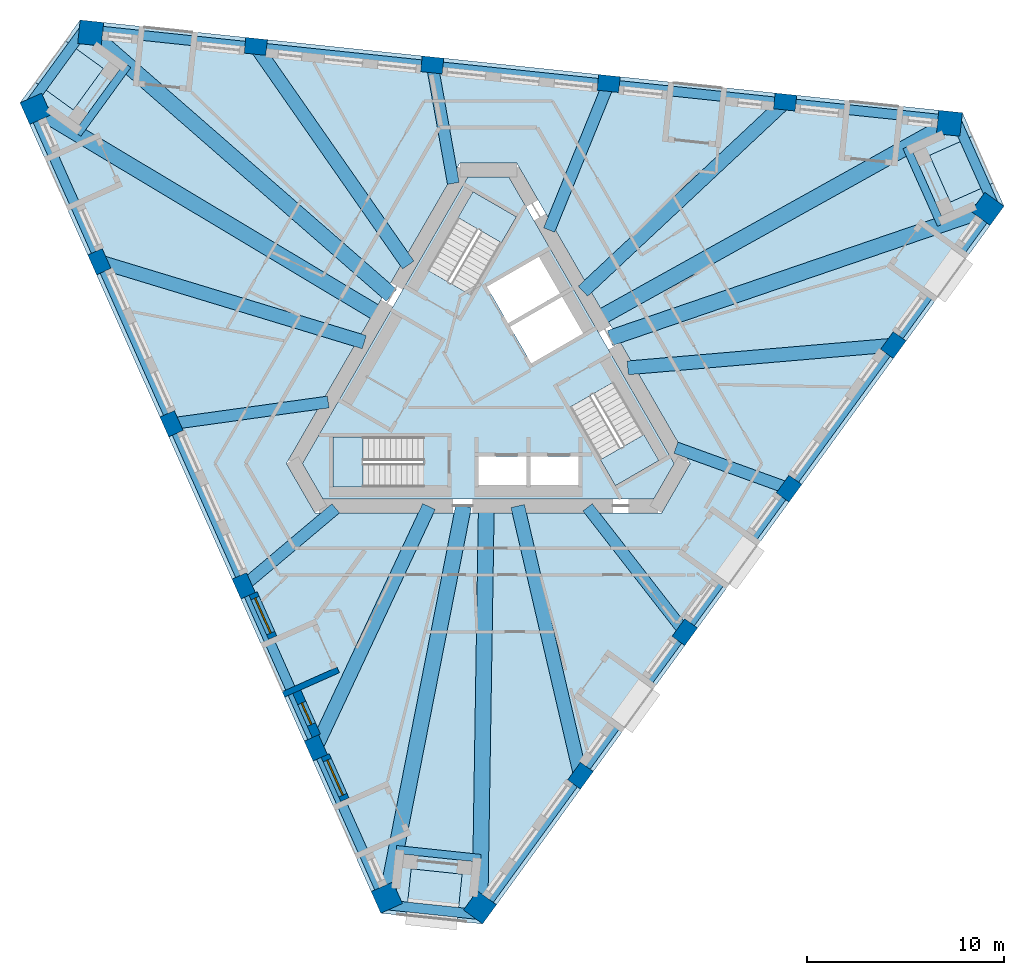
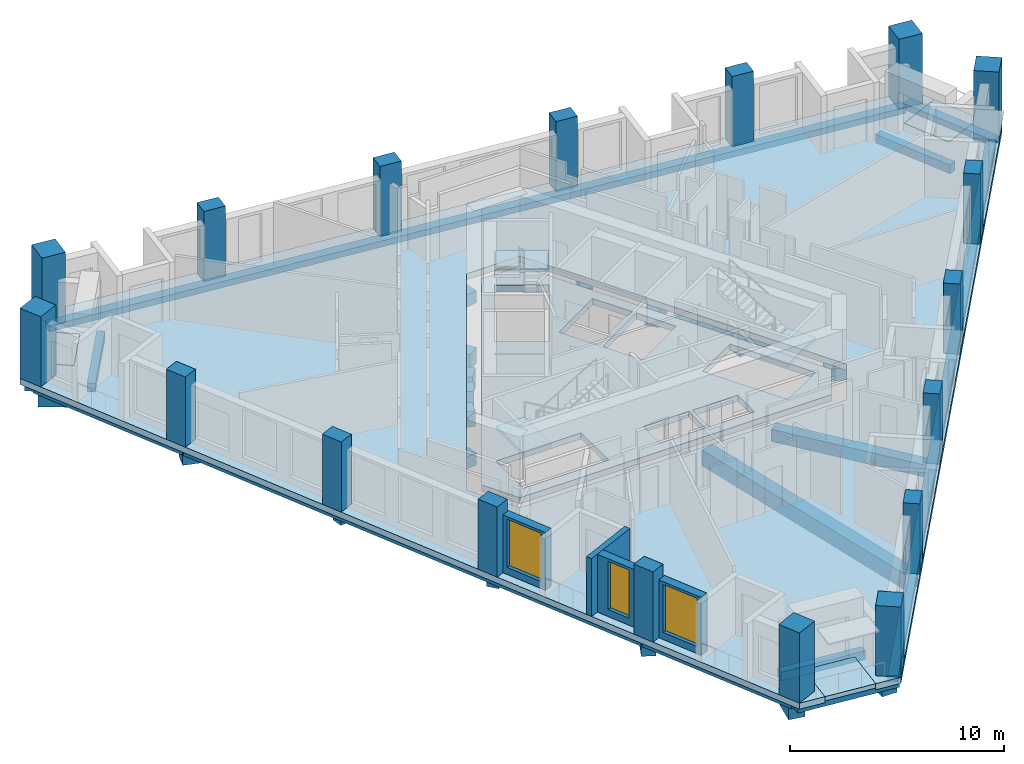
# One storey, part 1 of 11: 27 beams, 18 columns, 8 slabs, 4 walls, 3 windows, 3 openings, 3 elements without a shape of their own.
"""IFC4 building model written with IfcOpenShell, lengths in metres."""

from ifc_helpers import new_model, si_unit, direction, frame, frame_2d, origin, origin_2d, place, context, subcontext, project, spatial, polyline, rectangle, outline, extrude, material, layer, layer_set, material_profile, profile_set, type_object, element, fill, aggregate, save


model = new_model("IFC4")

# Units and contexts
model_context = context("Model", 3, precision=1e-05, world=origin(), true_north=direction((0.0, 1.0)))
body_context = subcontext(model_context, "Body", "Model", "MODEL_VIEW")
ifc_project = project(units=[si_unit("LENGTHUNIT", "METRE"), si_unit("AREAUNIT", "SQUARE_METRE"), si_unit("VOLUMEUNIT", "CUBIC_METRE"), si_unit("PLANEANGLEUNIT", "RADIAN"), si_unit("MASSUNIT", "GRAM", prefix="KILO")], contexts=[model_context])

# Site, building, storey
site_placement = place(None, origin())
site = spatial("IfcSite", under=ifc_project, at=site_placement, CompositionType="ELEMENT")
building_placement = place(site_placement, origin())
building = spatial("IfcBuilding", under=site, at=building_placement, Name="Tramontana Tower", CompositionType="ELEMENT")
storey_placement = place(building_placement, frame((0.0, 0.0, 253.199951171875)))
storey = spatial("IfcBuildingStorey", under=building, at=storey_placement, Name="L59", CompositionType="ELEMENT", Elevation=253.199951171875)

# Columns
ifc_material_1 = material(Name="Concrete 55 MPa", Category="concrete")
ifc_material_profile_1 = material_profile(ifc_material_1, rectangle(XDim=1.199951171875, YDim=1.199951171875, at=origin_2d()), Name="Mega column 1200X1200 55 MPa")
ifc_profile_set_1 = profile_set([ifc_material_profile_1], Name="Concrete 55 MPa")
column_type_1 = type_object("IfcColumnType", Name="Mega column 1200X1200 55 MPa", PredefinedType="COLUMN", material=ifc_profile_set_1)
for number, where, z_axis, x_axis, name in (
    (1, (-22.98291015625, 13.758056640625, 0.0), (0.0, 0.0, 1.0), (0.406736643076, -0.913545457643, 0.0), "Mega column C6K1 L59"),
    (2, (-5.154296875, -26.28564453125, 0.0), (0.0, 0.0, 1.0), (0.406736643076, -0.913545457643, 0.0), "Mega column C6K2 L59"),
    (3, (-0.42333984375, -26.782958984375, 0.0), (0.0, 0.0, 1.0), (0.587785252292, 0.809016994375, 0.0), "Mega column C6K3 L59"),
    (4, (25.341064453125, 8.678955078125, 0.0), (0.0, 0.0, 1.0), (0.587785252292, 0.809016994375, 0.0), "Mega column C6K4 L59"),
    (5, (23.40625, 13.024658203125, 0.0), (0.0, 0.0, 1.0), (-0.994521895368, 0.104528463268, 0.0), "Mega column C6K5 L59"),
    (6, (-20.186767578125, 17.6064453125, 0.0), (0.0, 0.0, 1.0), (-0.994521895368, 0.104528463268, 0.0), "Mega column C6K6 L59"),
):
    element("IfcColumn", number, at=place(storey_placement, frame(where, z_axis=z_axis, x_axis=x_axis)), inside=storey, type_object=column_type_1, Name=name, PredefinedType="COLUMN", context=body_context, shape_type="SweptSolid", body=[
        extrude(rectangle(XDim=1.199951171875, YDim=1.199951171875, at=origin_2d()), origin(), (0.0, 0.0, 1.0), 4.0),
    ])
ifc_material_2 = material(Name="Concrete 55 MPa", Category="concrete")
ifc_material_profile_2 = material_profile(ifc_material_2, rectangle(XDim=1.10009765625, YDim=0.800048828125, at=origin_2d()), Name="Pier column 1100X800 55 MPa")
ifc_profile_set_2 = profile_set([ifc_material_profile_2], Name="Concrete 55 MPa")
column_type_2 = type_object("IfcColumnType", Name="Pier column 1100X800 55 MPa", PredefinedType="COLUMN", material=ifc_profile_set_2)
for number, where, z_axis, x_axis, name in (
    (7, (-19.746337890625, 5.996826171875, 0.0), (0.0, 0.0, 1.0), (0.406736643076, -0.913545457643, 0.0), "Pier column C6F01 L59"),
    (8, (-16.0830078125, -2.231201171875, 0.0), (0.0, 0.0, 1.0), (0.406736643076, -0.913545457643, 0.0), "Pier column C6F02 L59"),
    (9, (-12.419677734375, -10.458984375, 0.0), (0.0, 0.0, 1.0), (0.406736643076, -0.913545457643, 0.0), "Pier column C6F03 L59"),
    (10, (-8.75634765625, -18.68701171875, 0.0), (0.0, 0.0, 1.0), (0.406736643076, -0.913545457643, 0.0), "Pier column C6F04 L59"),
    (11, (4.6796875, -20.099365234375, 0.0), (0.0, 0.0, 1.0), (0.587785252292, 0.809016994375, 0.0), "Pier column C6F05 L59"),
    (12, (9.9736328125, -12.812744140625, 0.0), (0.0, 0.0, 1.0), (0.587785252292, 0.809016994375, 0.0), "Pier column C6F06 L59"),
    (13, (15.267578125, -5.526123046875, 0.0), (0.0, 0.0, 1.0), (0.587785252292, 0.809016994375, 0.0), "Pier column C6F07 L59"),
    (14, (20.5615234375, 1.76025390625, 0.0), (0.0, 0.0, 1.0), (0.587785252292, 0.809016994375, 0.0), "Pier column C6F08 L59"),
    (15, (15.066650390625, 14.102294921875, 0.0), (0.0, 0.0, 1.0), (-0.994521895368, 0.104528463268, 0.0), "Pier column C6F09 L59"),
    (16, (6.109375, 15.043701171875, 0.0), (0.0, 0.0, 1.0), (-0.994521895368, 0.104528463268, 0.0), "Pier column C6F10 L59"),
    (17, (-2.847900390625, 15.9853515625, 0.0), (0.0, 0.0, 1.0), (-0.994521895368, 0.104528463268, 0.0), "Pier column C6F11 L59"),
    (18, (-11.805419921875, 16.9267578125, 0.0), (0.0, 0.0, 1.0), (-0.994521895368, 0.104528463268, 0.0), "Pier column C6F12 L59"),
):
    element("IfcColumn", number, at=place(storey_placement, frame(where, z_axis=z_axis, x_axis=x_axis)), inside=storey, type_object=column_type_2, Name=name, PredefinedType="COLUMN", context=body_context, shape_type="SweptSolid", body=[
        extrude(rectangle(XDim=1.10009765625, YDim=0.800048828125, at=origin_2d()), origin(), (0.0, 0.0, 1.0), 4.0),
    ])

# Beams
ifc_material_3 = material(Name="Concrete 40 MPa", Category="concrete")
ifc_material_profile_3 = material_profile(ifc_material_3, rectangle(XDim=0.5, YDim=0.35009765625, at=origin_2d()), Name="RC EDGE BEAM 500X350 40 MPa")
ifc_profile_set_3 = profile_set([ifc_material_profile_3], Name="Concrete 40 MPa")
beam_type_1 = type_object("IfcBeamType", Name="RC EDGE BEAM 500X350 40 MPa", PredefinedType="SPANDREL", material=ifc_profile_set_3)
for number, where, z_axis, x_axis, name in (
    (19, (-23.119873046875, 13.697021484375, -0.52490234375), (0.406736811644, -0.913545382591, 0.0), (0.913545382591, 0.406736811644, 0.0), "Spandrel beam S0 L59"),
    (20, (-0.302001953125, -26.87109375, -0.52490234375), (0.587782498957, 0.809018994783, 0.0), (-0.809018994783, 0.587782498957, 0.0), "Spandrel beam S1 L59"),
):
    element("IfcBeam", number, at=place(storey_placement, frame(where, z_axis=z_axis, x_axis=x_axis)), inside=storey, type_object=beam_type_1, Name=name, PredefinedType="SPANDREL", context=body_context, shape_type="SweptSolid", body=[
        extrude(rectangle(XDim=0.5, YDim=0.35009765625, at=origin_2d()), origin(), (0.0, 0.0, 1.0), 43.833251953125),
    ])
beam_1_placement = place(storey_placement, frame((23.422119140625, 13.173828125, -0.52490234375), z_axis=(-0.994522012351, 0.104527350249, 0.0), x_axis=(-0.104527350249, -0.994522012351, 0.0)))
element("IfcBeam", 21, at=beam_1_placement, inside=storey, type_object=beam_type_1, Name="Spandrel beam S2 L59", PredefinedType="SPANDREL", context=body_context, shape_type="SweptSolid", body=[
    extrude(rectangle(XDim=0.5, YDim=0.35009765625, at=origin_2d()), origin(), (0.0, 0.0, 1.0), 43.83349609375),
])
for number, where, z_axis, x_axis, name in (
    (22, (-20.356689453125, 18.00146484375, -0.52490234375), (-0.587774926142, -0.809024496662, 0.0), (0.809024496662, -0.587774926142, 0.0), "Spandrel beam K0 L59"),
    (23, (-5.411376953125, -26.630126953125, -0.52490234375), (0.994520631958, -0.104540483116, 0.0), (0.104540483116, 0.994520631958, 0.0), "Spandrel beam K1 L59"),
):
    element("IfcBeam", number, at=place(storey_placement, frame(where, z_axis=z_axis, x_axis=x_axis)), inside=storey, type_object=beam_type_1, Name=name, PredefinedType="SPANDREL", context=body_context, shape_type="SweptSolid", body=[
        extrude(rectangle(XDim=0.5, YDim=0.35009765625, at=origin_2d()), origin(), (0.0, 0.0, 1.0), 5.1962890625),
    ])
beam_2_placement = place(storey_placement, frame((25.76806640625, 8.62890625, -0.52490234375), z_axis=(-0.406713847213, 0.913555606674, 0.0), x_axis=(-0.913555606674, -0.406713847213, 0.0)))
element("IfcBeam", 24, at=beam_2_placement, inside=storey, type_object=beam_type_1, Name="Spandrel beam K2 L59", PredefinedType="SPANDREL", context=body_context, shape_type="SweptSolid", body=[
    extrude(rectangle(XDim=0.5, YDim=0.35009765625, at=origin_2d()), origin(), (0.0, 0.0, 1.0), 5.196044921875),
])
ifc_material_4 = material(Name="Concrete 40 MPa", Category="concrete")
ifc_material_profile_4 = material_profile(ifc_material_4, rectangle(XDim=0.60009765625, YDim=0.699951171875, at=origin_2d()), Name="RC GIRDER 600X700 40 MPa")
ifc_profile_set_4 = profile_set([ifc_material_profile_4], Name="Concrete 40 MPa")
beam_type_2 = type_object("IfcBeamType", Name="RC GIRDER 600X700 40 MPa", PredefinedType="BEAM", material=ifc_profile_set_4)
beam_3_placement = place(storey_placement, frame((-16.0830078125, -2.231201171875, -0.699951171875), z_axis=(0.990511014631, 0.13743336529, 0.0), x_axis=(-0.13743336529, 0.990511014631, 0.0)))
element("IfcBeam", 25, at=beam_3_placement, inside=storey, type_object=beam_type_2, Name="Radial girder C6F02 L59", PredefinedType="BEAM", context=body_context, shape_type="SweptSolid", body=[
    extrude(rectangle(XDim=0.60009765625, YDim=0.699951171875, at=origin_2d()), origin(), (0.0, 0.0, 1.0), 8.032958984375),
])
beam_4_placement = place(storey_placement, frame((-12.419677734375, -10.458984375, -0.699951171875), z_axis=(0.7648987601, 0.644150515638, 0.0), x_axis=(-0.644150515638, 0.7648987601, 0.0)))
element("IfcBeam", 26, at=beam_4_placement, inside=storey, type_object=beam_type_2, Name="Radial girder C6F03 L59", PredefinedType="BEAM", context=body_context, shape_type="SweptSolid", body=[
    extrude(rectangle(XDim=0.60009765625, YDim=0.699951171875, at=origin_2d()), origin(), (0.0, 0.0, 1.0), 6.108154296875),
])
beam_5_placement = place(storey_placement, frame((9.9736328125, -12.812744140625, -0.699951171875), z_axis=(-0.614258279955, 0.789105040857, 0.0), x_axis=(-0.789105040857, -0.614258279955, 0.0)))
element("IfcBeam", 27, at=beam_5_placement, inside=storey, type_object=beam_type_2, Name="Radial girder C6F06 L59", PredefinedType="BEAM", context=body_context, shape_type="SweptSolid", body=[
    extrude(rectangle(XDim=0.60009765625, YDim=0.699951171875, at=origin_2d()), origin(), (0.0, 0.0, 1.0), 8.032958984375),
])
beam_6_placement = place(storey_placement, frame((15.267578125, -5.526123046875, -0.699951171875), z_axis=(-0.940300037895, 0.34034664496, 0.0), x_axis=(-0.34034664496, -0.940300037895, 0.0)))
element("IfcBeam", 28, at=beam_6_placement, inside=storey, type_object=beam_type_2, Name="Radial girder C6F07 L59", PredefinedType="BEAM", context=body_context, shape_type="SweptSolid", body=[
    extrude(rectangle(XDim=0.60009765625, YDim=0.699951171875, at=origin_2d()), origin(), (0.0, 0.0, 1.0), 6.108154296875),
])
beam_7_placement = place(storey_placement, frame((6.109375, 15.043701171875, -0.699951171875), z_axis=(-0.376258836782, -0.92651459122, 0.0), x_axis=(0.92651459122, -0.376258836782, 0.0)))
element("IfcBeam", 29, at=beam_7_placement, inside=storey, type_object=beam_type_2, Name="Radial girder C6F10 L59", PredefinedType="BEAM", context=body_context, shape_type="SweptSolid", body=[
    extrude(rectangle(XDim=0.60009765625, YDim=0.699951171875, at=origin_2d()), origin(), (0.0, 0.0, 1.0), 8.032958984375),
])
beam_8_placement = place(storey_placement, frame((-2.847900390625, 15.9853515625, -0.699951171875), z_axis=(0.175388058889, -0.984499379786, 0.0), x_axis=(0.984499379786, 0.175388058889, 0.0)))
element("IfcBeam", 30, at=beam_8_placement, inside=storey, type_object=beam_type_2, Name="Radial girder C6F11 L59", PredefinedType="BEAM", context=body_context, shape_type="SweptSolid", body=[
    extrude(rectangle(XDim=0.60009765625, YDim=0.699951171875, at=origin_2d()), origin(), (0.0, 0.0, 1.0), 6.108154296875),
])
ifc_material_5 = material(Name="Concrete 40 MPa", Category="concrete")
ifc_material_profile_5 = material_profile(ifc_material_5, rectangle(XDim=0.699951171875, YDim=0.89990234375, at=origin_2d()), Name="RC GIRDER 700X900 40 MPa")
ifc_profile_set_5 = profile_set([ifc_material_profile_5], Name="Concrete 40 MPa")
beam_type_3 = type_object("IfcBeamType", Name="RC GIRDER 700X900 40 MPa", PredefinedType="BEAM", material=ifc_profile_set_5)
beam_9_placement = place(storey_placement, frame((-19.746337890625, 5.996826171875, -0.800048828125), z_axis=(0.956850397844, -0.290580997566, 0.0), x_axis=(0.290580997566, 0.956850397844, 0.0)))
element("IfcBeam", 31, at=beam_9_placement, inside=storey, type_object=beam_type_3, Name="Radial girder C6F01 L59", PredefinedType="BEAM", context=body_context, shape_type="SweptSolid", body=[
    extrude(rectangle(XDim=0.699951171875, YDim=0.89990234375, at=origin_2d()), origin(), (0.0, 0.0, 1.0), 14.05615234375),
])
beam_10_placement = place(storey_placement, frame((-8.75634765625, -18.68701171875, -0.800048828125), z_axis=(0.424308147915, 0.90551786046, 0.0), x_axis=(-0.90551786046, 0.424308147915, 0.0)))
element("IfcBeam", 32, at=beam_10_placement, inside=storey, type_object=beam_type_3, Name="Radial girder C6F04 L59", PredefinedType="BEAM", context=body_context, shape_type="SweptSolid", body=[
    extrude(rectangle(XDim=0.699951171875, YDim=0.89990234375, at=origin_2d()), origin(), (0.0, 0.0, 1.0), 13.532470703125),
])
beam_11_placement = place(storey_placement, frame((4.6796875, -20.099365234375, -0.800048828125), z_axis=(-0.22676563163, 0.973949356133, 0.0), x_axis=(-0.973949356133, -0.22676563163, 0.0)))
element("IfcBeam", 33, at=beam_11_placement, inside=storey, type_object=beam_type_3, Name="Radial girder C6F05 L59", PredefinedType="BEAM", context=body_context, shape_type="SweptSolid", body=[
    extrude(rectangle(XDim=0.699951171875, YDim=0.89990234375, at=origin_2d()), origin(), (0.0, 0.0, 1.0), 14.056396484375),
])
beam_12_placement = place(storey_placement, frame((20.5615234375, 1.760498046875, -0.800048828125), z_axis=(-0.996353926175, -0.085316198904, 0.0), x_axis=(0.085316198904, -0.996353926175, 0.0)))
element("IfcBeam", 34, at=beam_12_placement, inside=storey, type_object=beam_type_3, Name="Radial girder C6F08 L59", PredefinedType="BEAM", context=body_context, shape_type="SweptSolid", body=[
    extrude(rectangle(XDim=0.699951171875, YDim=0.89990234375, at=origin_2d()), origin(), (0.0, 0.0, 1.0), 13.532470703125),
])
beam_13_placement = place(storey_placement, frame((15.066650390625, 14.102294921875, -0.800048828125), z_axis=(-0.730089981105, -0.683351022162, 0.0), x_axis=(0.683351022162, -0.730089981105, 0.0)))
element("IfcBeam", 35, at=beam_13_placement, inside=storey, type_object=beam_type_3, Name="Radial girder C6F09 L59", PredefinedType="BEAM", context=body_context, shape_type="SweptSolid", body=[
    extrude(rectangle(XDim=0.699951171875, YDim=0.89990234375, at=origin_2d()), origin(), (0.0, 0.0, 1.0), 14.056396484375),
])
beam_14_placement = place(storey_placement, frame((-11.805419921875, 16.9267578125, -0.800048828125), z_axis=(0.5720593984, -0.820212194924, 0.0), x_axis=(0.820212194924, 0.5720593984, 0.0)))
element("IfcBeam", 36, at=beam_14_placement, inside=storey, type_object=beam_type_3, Name="Radial girder C6F12 L59", PredefinedType="BEAM", context=body_context, shape_type="SweptSolid", body=[
    extrude(rectangle(XDim=0.699951171875, YDim=0.89990234375, at=origin_2d()), origin(), (0.0, 0.0, 1.0), 13.53271484375),
])
ifc_material_6 = material(Name="Concrete 40 MPa", Category="concrete")
ifc_material_profile_6 = material_profile(ifc_material_6, rectangle(XDim=0.800048828125, YDim=1.10009765625, at=origin_2d()), Name="RC GIRDER 800X1100 40 MPa")
ifc_profile_set_6 = profile_set([ifc_material_profile_6], Name="Concrete 40 MPa")
beam_type_4 = type_object("IfcBeamType", Name="RC GIRDER 800X1100 40 MPa", PredefinedType="BEAM", material=ifc_profile_set_6)
beam_15_placement = place(storey_placement, frame((-22.98291015625, 13.758056640625, -0.89990234375), z_axis=(0.858014507948, -0.513625451229, 0.0), x_axis=(0.513625451229, 0.858014507948, 0.0)))
element("IfcBeam", 37, at=beam_15_placement, inside=storey, type_object=beam_type_4, Name="Radial girder C6K1 L59", PredefinedType="BEAM", context=body_context, shape_type="SweptSolid", body=[
    extrude(rectangle(XDim=0.800048828125, YDim=1.10009765625, at=origin_2d()), origin(), (0.0, 0.0, 1.0), 20.385498046875),
])
beam_16_placement = place(storey_placement, frame((-5.154296875, -26.28564453125, -0.89990234375), z_axis=(0.192429707164, 0.981310760056, 0.0), x_axis=(-0.981310760056, 0.192429707164, 0.0)))
element("IfcBeam", 38, at=beam_16_placement, inside=storey, type_object=beam_type_4, Name="Radial girder C6K2 L59", PredefinedType="BEAM", context=body_context, shape_type="SweptSolid", body=[
    extrude(rectangle(XDim=0.800048828125, YDim=1.10009765625, at=origin_2d()), origin(), (0.0, 0.0, 1.0), 20.2578125),
])
beam_17_placement = place(storey_placement, frame((-0.42333984375, -26.78271484375, -0.89990234375), z_axis=(0.015796706362, 0.99987522425, 0.0), x_axis=(-0.99987522425, 0.015796706362, 0.0)))
element("IfcBeam", 39, at=beam_17_placement, inside=storey, type_object=beam_type_4, Name="Radial girder C6K3 L59", PredefinedType="BEAM", context=body_context, shape_type="SweptSolid", body=[
    extrude(rectangle(XDim=0.800048828125, YDim=1.10009765625, at=origin_2d()), origin(), (0.0, 0.0, 1.0), 20.38525390625),
])
beam_18_placement = place(storey_placement, frame((25.34130859375, 8.67919921875, -0.89990234375), z_axis=(-0.946050478935, -0.324019276136, 0.0), x_axis=(0.324019276136, -0.946050478935, 0.0)))
element("IfcBeam", 40, at=beam_18_placement, inside=storey, type_object=beam_type_4, Name="Radial girder C6K4 L59", PredefinedType="BEAM", context=body_context, shape_type="SweptSolid", body=[
    extrude(rectangle(XDim=0.800048828125, YDim=1.10009765625, at=origin_2d()), origin(), (0.0, 0.0, 1.0), 20.258056640625),
])
beam_19_placement = place(storey_placement, frame((23.40625, 13.024658203125, -0.89990234375), z_axis=(-0.873818675449, -0.486251912528, 0.0), x_axis=(0.486251912528, -0.873818675449, 0.0)))
element("IfcBeam", 41, at=beam_19_placement, inside=storey, type_object=beam_type_4, Name="Radial girder C6K5 L59", PredefinedType="BEAM", context=body_context, shape_type="SweptSolid", body=[
    extrude(rectangle(XDim=0.800048828125, YDim=1.10009765625, at=origin_2d()), origin(), (0.0, 0.0, 1.0), 20.38525390625),
])
beam_20_placement = place(storey_placement, frame((-20.18701171875, 17.606689453125, -0.89990234375), z_axis=(0.753629135933, -0.657299874846, 0.0), x_axis=(0.657299874846, 0.753629135933, 0.0)))
element("IfcBeam", 42, at=beam_20_placement, inside=storey, type_object=beam_type_4, Name="Radial girder C6K6 L59", PredefinedType="BEAM", context=body_context, shape_type="SweptSolid", body=[
    extrude(rectangle(XDim=0.800048828125, YDim=1.10009765625, at=origin_2d()), origin(), (0.0, 0.0, 1.0), 20.2578125),
])
ifc_material_7 = material(Name="Concrete 40 MPa", Category="concrete")
ifc_material_profile_7 = material_profile(ifc_material_7, rectangle(XDim=0.39990234375, YDim=0.5, at=origin_2d()), Name="RC TRIM BEAM 400X500 40 MPa")
ifc_profile_set_7 = profile_set([ifc_material_profile_7], Name="Concrete 40 MPa")
beam_type_5 = type_object("IfcBeamType", Name="RC TRIM BEAM 400X500 40 MPa", PredefinedType="JOIST", material=ifc_profile_set_7)
for number, where, z_axis, x_axis, name in (
    (43, (-18.310302734375, 15.9697265625, -0.599853515625), (-0.587744325324, -0.809046727976, 0.0), (0.809046727976, -0.587744325324, 0.0), "Trimmer beam K0 L59"),
    (44, (-4.675048828125, -23.841796875, -0.599853515625), (0.994517847883, -0.104566965344, 0.0), (0.104566965344, 0.994517847883, 0.0), "Trimmer beam K1 L59"),
    (45, (22.9853515625, 7.872314453125, -0.599853515625), (-0.406773611719, 0.913528997246, 0.0), (-0.913528997246, -0.406773611719, 0.0), "Trimmer beam K2 L59"),
):
    element("IfcBeam", number, at=place(storey_placement, frame(where, z_axis=z_axis, x_axis=x_axis)), inside=storey, type_object=beam_type_5, Name=name, PredefinedType="JOIST", context=body_context, shape_type="SweptSolid", body=[
        extrude(rectangle(XDim=0.39990234375, YDim=0.5, at=origin_2d()), origin(), (0.0, 0.0, 1.0), 4.314697265625),
    ])

# Slabs
ifc_material_8 = material(Name="Precast concrete 50 MPa", Category="concrete")
ifc_layer_1 = layer(ifc_material_8, 0.25)
ifc_layer_set_1 = layer_set([ifc_layer_1], Name="LT1 Loggia floor tray 250")
slab_type_1 = type_object("IfcSlabType", Name="LT1 Loggia floor tray 250", PredefinedType="FLOOR", material=ifc_layer_set_1)
slab_1_placement = place(storey_placement, frame((0.0, 0.0, -0.25)))
element("IfcSlab", 46, at=slab_1_placement, inside=storey, type_object=slab_type_1, Name="Corner loggia floor L59 K60", PredefinedType="FLOOR", context=body_context, shape_type="SweptSolid", body=[
    extrude(outline(polyline([(-21.48388671875, 17.2158203125), (-19.542236328125, 15.80517578125), (-21.070556640625, 13.70166015625), (-23.01220703125, 15.1123046875), (-21.48388671875, 17.2158203125)])), origin(), (0.0, 0.0, 1.0), 0.25),
])
slab_2_placement = place(storey_placement, frame((0.0, 0.0, -0.25)))
element("IfcSlab", 47, at=slab_2_placement, inside=storey, type_object=slab_type_1, Name="Corner loggia floor L59 K61", PredefinedType="FLOOR", context=body_context, shape_type="SweptSolid", body=[
    extrude(outline(polyline([(-4.16748046875, -27.21337890625), (-3.91650390625, -24.82666015625), (-1.330810546875, -25.098388671875), (-1.58154296875, -27.4853515625), (-4.16748046875, -27.21337890625)])), origin(), (0.0, 0.0, 1.0), 0.25),
])
slab_3_placement = place(storey_placement, frame((0.0, 0.0, -0.25)))
element("IfcSlab", 48, at=slab_3_placement, inside=storey, type_object=slab_type_1, Name="Corner loggia floor L59 K62", PredefinedType="FLOOR", context=body_context, shape_type="SweptSolid", body=[
    extrude(outline(polyline([(25.6513671875, 9.99755859375), (23.458740234375, 9.021484375), (22.401123046875, 11.396728515625), (24.59375, 12.372802734375), (25.6513671875, 9.99755859375)])), origin(), (0.0, 0.0, 1.0), 0.25),
])
ifc_material_9 = material(Name="Concrete 40 MPa", Category="concrete")
ifc_layer_2 = layer(ifc_material_9, 0.35009765625)
ifc_layer_set_2 = layer_set([ifc_layer_2], Name="PT FLAT SLAB 350 40 MPa")
slab_type_2 = type_object("IfcSlabType", Name="PT FLAT SLAB 350 40 MPa", PredefinedType="FLOOR", material=ifc_layer_set_2)
slab_4_placement = place(storey_placement, frame((0.0, 0.0, -0.349853515625)))
element("IfcSlab", 49, at=slab_4_placement, inside=storey, type_object=slab_type_2, Name="Floor slab L59", PredefinedType="FLOOR", context=body_context, shape_type="SweptSolid", body=[
    extrude(outline(polyline([(24.59375, 12.372802734375), (22.401123046875, 11.396728515625), (23.458740234375, 9.021484375), (25.6513671875, 9.99755859375), (26.17919921875, 8.811767578125), (-0.290771484375, -27.620849609375), (-1.581787109375, -27.485107421875), (-1.330810546875, -25.098388671875), (-3.91650390625, -24.82666015625), (-4.16748046875, -27.21337890625), (-5.45849609375, -27.077880859375), (-23.775146484375, 14.062255859375), (-23.01220703125, 15.1123046875), (-21.0703125, 13.70166015625), (-19.542236328125, 15.80517578125), (-21.48388671875, 17.2158203125), (-20.720947265625, 18.26611328125), (24.06591796875, 13.55859375), (24.59375, 12.372802734375)]), holes=[polyline([(-10.248046875, -4.25), (-8.8046875, -6.75), (8.8046875, -6.75), (10.248046875, -4.25), (1.443359375, 11.0), (-1.443359375, 11.0), (-10.248046875, -4.25)])]), origin(), (0.0, 0.0, 1.0), 0.349853515625),
])
slab_5_placement = place(storey_placement, frame((0.0, 0.0, -0.349853515625)))
element("IfcSlab", 50, at=slab_5_placement, inside=storey, type_object=slab_type_2, Name="Core floor slab L59", PredefinedType="FLOOR", context=body_context, shape_type="SweptSolid", body=[
    extrude(outline(polyline([(9.439697265625, -4.25), (8.400390625, -6.050048828125), (-8.400390625, -6.050048828125), (-9.439697265625, -4.25), (-1.039306640625, 10.300048828125), (1.039306640625, 10.300048828125), (9.439697265625, -4.25)]), holes=[polyline([(8.659912109375, -4.099365234375), (6.35986328125, -0.115478515625), (4.151611328125, -1.390625), (6.451416015625, -5.374267578125), (8.659912109375, -4.099365234375)]), polyline([(3.829833984375, 4.2666015625), (1.101806640625, 2.69140625), (2.177001953125, 0.82958984375), (4.90478515625, 2.404541015625), (3.829833984375, 4.2666015625)]), polyline([(4.590087890625, -3.89990234375), (2.139892578125, -3.89990234375), (2.139892578125, -5.449951171875), (4.590087890625, -5.449951171875), (4.590087890625, -3.89990234375)]), polyline([(2.65478515625, 6.3017578125), (-0.072998046875, 4.726806640625), (1.001953125, 2.86474609375), (3.729736328125, 4.439697265625), (2.65478515625, 6.3017578125)]), polyline([(1.93994140625, -5.449951171875), (1.93994140625, -3.89990234375), (-0.510009765625, -3.89990234375), (-0.510009765625, -5.449951171875), (1.93994140625, -5.449951171875)]), polyline([(-0.77978515625, 9.54931640625), (-3.079833984375, 5.565673828125), (-0.87158203125, 4.29052734375), (1.428466796875, 8.2744140625), (-0.77978515625, 9.54931640625)]), polyline([(-7.8798828125, -5.449951171875), (-3.280029296875, -5.449951171875), (-3.280029296875, -2.89990234375), (-7.8798828125, -2.89990234375), (-7.8798828125, -5.449951171875)])]), origin(), (0.0, 0.0, 1.0), 0.349853515625),
])

# Stair, slab
ifc_material_10 = material(Name="Concrete 40 MPa", Category="concrete")
stair_type = type_object("IfcStairType", Name="EXIT STAIR 24 RISERS", PredefinedType="HALF_TURN_STAIR", material=ifc_material_10)
stair_1_placement = place(storey_placement, origin())
stair_1 = element("IfcStair", 51, at=stair_1_placement, inside=storey, type_object=stair_type, Name="L59 Exit stair ST1", PredefinedType="HALF_TURN_STAIR")
ifc_material_11 = material(Name="Concrete 40 MPa", Category="concrete")
ifc_layer_3 = layer(ifc_material_11, 0.199951171875)
ifc_layer_set_3 = layer_set([ifc_layer_3], Name="STAIR LANDING 200")
slab_type_3 = type_object("IfcSlabType", Name="STAIR LANDING 200", PredefinedType="LANDING", material=ifc_layer_set_3)
slab_6_placement = place(storey_placement, frame((0.0, 0.0, 1.800048828125)))
slab_6 = element("IfcSlab", 52, at=slab_6_placement, type_object=slab_type_3, Name="ST1 landing 1", PredefinedType="LANDING", context=body_context, shape_type="SweptSolid", body=[
    extrude(outline(polyline([(0.66845703125, 6.9580078125), (1.428466796875, 8.274169921875), (-0.77978515625, 9.54931640625), (-1.539794921875, 8.23291015625), (0.66845703125, 6.9580078125)])), origin(), (0.0, 0.0, 1.0), 0.199951171875),
])
aggregate(stair_1, [slab_6])

stair_2_placement = place(storey_placement, origin())
stair_2 = element("IfcStair", 53, at=stair_2_placement, inside=storey, type_object=stair_type, Name="L59 Exit stair ST2", PredefinedType="HALF_TURN_STAIR")
slab_7_placement = place(storey_placement, frame((0.0, 0.0, 1.800048828125)))
slab_7 = element("IfcSlab", 54, at=slab_7_placement, type_object=slab_type_3, Name="ST2 landing 1", PredefinedType="LANDING", context=body_context, shape_type="SweptSolid", body=[
    extrude(outline(polyline([(-6.360107421875, -2.89990234375), (-7.8798828125, -2.89990234375), (-7.8798828125, -5.449951171875), (-6.360107421875, -5.449951171875), (-6.360107421875, -2.89990234375)])), origin(), (0.0, 0.0, 1.0), 0.199951171875),
])
aggregate(stair_2, [slab_7])

stair_3_placement = place(storey_placement, origin())
stair_3 = element("IfcStair", 55, at=stair_3_placement, inside=storey, type_object=stair_type, Name="L59 Exit stair ST3", PredefinedType="HALF_TURN_STAIR")
slab_8_placement = place(storey_placement, frame((0.0, 0.0, 1.800048828125)))
slab_8 = element("IfcSlab", 56, at=slab_8_placement, type_object=slab_type_3, Name="ST3 landing 1", PredefinedType="LANDING", context=body_context, shape_type="SweptSolid", body=[
    extrude(outline(polyline([(5.69140625, -4.057861328125), (6.451416015625, -5.374267578125), (8.659912109375, -4.099365234375), (7.89990234375, -2.782958984375), (5.69140625, -4.057861328125)])), origin(), (0.0, 0.0, 1.0), 0.199951171875),
])
aggregate(stair_3, [slab_8])

# Wall, opening, window
ifc_material_12 = material(Name="Precast concrete 60 MPa", Category="concrete")
ifc_layer_4 = layer(ifc_material_12, 0.449951171875)
ifc_layer_set_4 = layer_set([ifc_layer_4], Name="Precast concrete 60 MPa, 450 mm")
wall_type_1 = type_object("IfcWallType", Name="EW1 Stone-faced precast wall 450", PredefinedType="SOLIDWALL", material=ifc_layer_set_4)
wall_1_placement = place(storey_placement, frame((-11.94482421875, -10.849609375, 0.0), z_axis=(0.0, 0.0, 1.0), x_axis=(0.406784963852, -0.913523942316, 0.0)))
wall_1 = element("IfcWall", 57, at=wall_1_placement, inside=storey, type_object=wall_type_1, Name="External wall L59 face 0 bay 4", PredefinedType="SOLIDWALL", context=body_context, shape_type="SweptSolid", body=[
    extrude(rectangle(XDim=2.452392578125, YDim=0.449951171875, at=frame_2d((1.22607421875, 0.0))), origin(), (0.0, 0.0, 1.0), 3.300048828125),
])
opening_1_placement = place(wall_1_placement, frame((0.251220703125, 0.0, 0.39990234375)))
opening_1 = element("IfcOpeningElement", 58, at=opening_1_placement, cuts=wall_1, Name="Opening M3", PredefinedType="OPENING", context=body_context, shape_type="SweptSolid", body=[
    extrude(rectangle(XDim=1.949951171875, YDim=2.75, at=frame_2d((0.97509765625, 1.375))), frame((0.0, 0.23486328125, 0.0), z_axis=(0.0, -1.0, 0.0), x_axis=(1.0, 0.0, 0.0)), (0.0, 0.0, 1.0), 0.469970703125),
])
ifc_material_13 = material(Name="Aluminum frame, double glazing unit", Category="aluminium")
window_type_1 = type_object("IfcWindowType", Name="M3 Window 1.95 x 2.75", PartitioningType="SINGLE_PANEL", PredefinedType="WINDOW", material=ifc_material_13)
window_1_placement = place(opening_1_placement, origin())
window_1 = element("IfcWindow", 59, at=window_1_placement, inside=storey, type_object=window_type_1, Name="Window M3 L59 face 0 module 10", OverallHeight=2.75, OverallWidth=1.949951171875, PartitioningType="SINGLE_PANEL", PredefinedType="WINDOW", context=body_context, shape_type="SweptSolid", body=[
    extrude(rectangle(XDim=1.949951171875, YDim=2.75, at=frame_2d((0.97509765625, 1.375))), frame((0.0, 0.030029296875, 0.0), z_axis=(0.0, -1.0, 0.0), x_axis=(1.0, 0.0, 0.0)), (0.0, 0.0, 1.0), 0.06005859375),
])
fill(opening_1, window_1)

wall_2_placement = place(storey_placement, frame((-9.72607421875, -15.83251953125, 0.0), z_axis=(0.0, 0.0, 1.0), x_axis=(0.406701876909, -0.913560935745, 0.0)))
wall_2 = element("IfcWall", 60, at=wall_2_placement, inside=storey, type_object=wall_type_1, Name="External wall L59 face 0 bay 4", PredefinedType="SOLIDWALL", context=body_context, shape_type="SweptSolid", body=[
    extrude(rectangle(XDim=2.4521484375, YDim=0.449951171875, at=frame_2d((1.22607421875, 0.0))), origin(), (0.0, 0.0, 1.0), 3.300048828125),
])
opening_2_placement = place(wall_2_placement, frame((0.626220703125, 0.0, 0.39990234375)))
opening_2 = element("IfcOpeningElement", 61, at=opening_2_placement, cuts=wall_2, Name="Opening N3", PredefinedType="OPENING", context=body_context, shape_type="SweptSolid", body=[
    extrude(rectangle(XDim=1.199951171875, YDim=2.75, at=frame_2d((0.60009765625, 1.375))), frame((0.0, 0.23486328125, 0.0), z_axis=(0.0, -1.0, 0.0), x_axis=(1.0, 0.0, 0.0)), (0.0, 0.0, 1.0), 0.469970703125),
])
ifc_material_14 = material(Name="Aluminum frame, double glazing unit", Category="aluminium")
window_type_2 = type_object("IfcWindowType", Name="N3 Window 1.2 x 2.75", PartitioningType="SINGLE_PANEL", PredefinedType="WINDOW", material=ifc_material_14)
window_2_placement = place(opening_2_placement, origin())
window_2 = element("IfcWindow", 62, at=window_2_placement, inside=storey, type_object=window_type_2, Name="Window N3 L59 face 0 module 12", OverallHeight=2.75, OverallWidth=1.199951171875, PartitioningType="SINGLE_PANEL", PredefinedType="WINDOW", context=body_context, shape_type="SweptSolid", body=[
    extrude(rectangle(XDim=1.199951171875, YDim=2.75, at=frame_2d((0.60009765625, 1.375))), frame((0.0, 0.030029296875, 0.0), z_axis=(0.0, -1.0, 0.0), x_axis=(1.0, 0.0, 0.0)), (0.0, 0.0, 1.0), 0.06005859375),
])
fill(opening_2, window_2)

wall_3_placement = place(storey_placement, frame((-8.28125, -19.07763671875, 0.0), z_axis=(0.0, 0.0, 1.0), x_axis=(0.406701876909, -0.913560935745, 0.0)))
wall_3 = element("IfcWall", 63, at=wall_3_placement, inside=storey, type_object=wall_type_1, Name="External wall L59 face 0 bay 5", PredefinedType="SOLIDWALL", context=body_context, shape_type="SweptSolid", body=[
    extrude(rectangle(XDim=2.4521484375, YDim=0.449951171875, at=frame_2d((1.22607421875, 0.0))), origin(), (0.0, 0.0, 1.0), 3.300048828125),
])
opening_3_placement = place(wall_3_placement, frame((0.251220703125, 0.0, 0.39990234375)))
opening_3 = element("IfcOpeningElement", 64, at=opening_3_placement, cuts=wall_3, Name="Opening M3", PredefinedType="OPENING", context=body_context, shape_type="SweptSolid", body=[
    extrude(rectangle(XDim=1.949951171875, YDim=2.75, at=frame_2d((0.97509765625, 1.375))), frame((0.0, 0.23486328125, 0.0), z_axis=(0.0, -1.0, 0.0), x_axis=(1.0, 0.0, 0.0)), (0.0, 0.0, 1.0), 0.469970703125),
])
window_3_placement = place(opening_3_placement, origin())
window_3 = element("IfcWindow", 65, at=window_3_placement, inside=storey, type_object=window_type_1, Name="Window M3 L59 face 0 module 13", OverallHeight=2.75, OverallWidth=1.949951171875, PartitioningType="SINGLE_PANEL", PredefinedType="WINDOW", context=body_context, shape_type="SweptSolid", body=[
    extrude(rectangle(XDim=1.949951171875, YDim=2.75, at=frame_2d((0.97509765625, 1.375))), frame((0.0, 0.030029296875, 0.0), z_axis=(0.0, -1.0, 0.0), x_axis=(1.0, 0.0, 0.0)), (0.0, 0.0, 1.0), 0.06005859375),
])
fill(opening_3, window_3)

# Wall
ifc_material_15 = material(Name="Precast concrete 60 MPa", Category="concrete")
ifc_layer_5 = layer(ifc_material_15, 0.300048828125)
ifc_layer_set_5 = layer_set([ifc_layer_5], Name="LW1 Stone-faced loggia wall 300")
wall_type_2 = type_object("IfcWallType", Name="LW1 Stone-faced loggia wall 300", PredefinedType="SOLIDWALL", material=ifc_layer_set_5)
wall_4_placement = place(storey_placement, frame((-10.40380859375, -15.969970703125, 0.0), z_axis=(0.0, 0.0, 1.0), x_axis=(0.913557205168, 0.406710256677, 0.0)))
element("IfcWall", 66, at=wall_4_placement, inside=storey, type_object=wall_type_2, Name="Loggia return L59 G6S0.10b", PredefinedType="SOLIDWALL", context=body_context, shape_type="SweptSolid", body=[
    extrude(rectangle(XDim=3.050048828125, YDim=0.300048828125, at=frame_2d((1.52490234375, 0.0))), origin(), (0.0, 0.0, 1.0), 3.300048828125),
])

save(model, "model.ifc")
